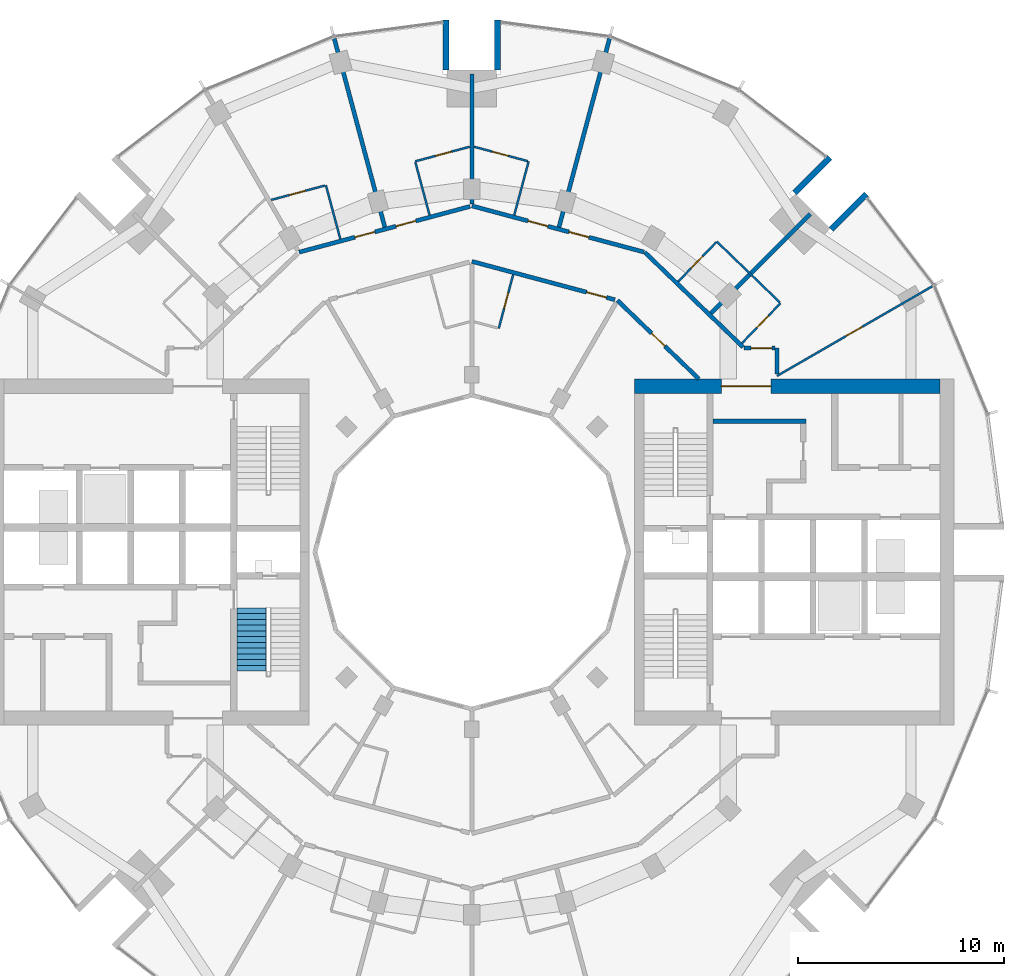
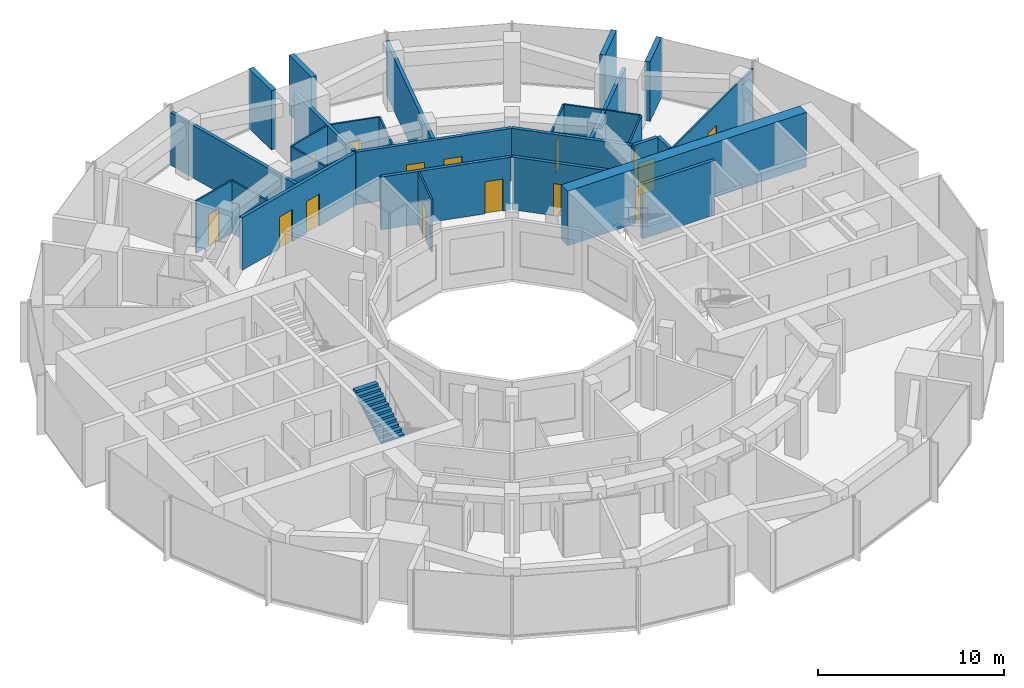
# One storey, part 12 of 15: 28 walls, 15 doors, 1 stair flight, 15 openings, 1 element without a shape of its own.
"""IFC4 building model written with IfcOpenShell, lengths in metres."""

from ifc_helpers import new_model, si_unit, direction, frame, frame_2d, origin, place, context, subcontext, project, spatial, polyline, rectangle, outline, extrude, material, layer, layer_set, type_object, element, fill, aggregate, save


model = new_model("IFC4")

# Units and contexts
model_context = context("Model", 3, precision=1e-05, world=origin(), true_north=direction((0.0, 1.0)))
body_context = subcontext(model_context, "Body", "Model", "MODEL_VIEW")
ifc_project = project(units=[si_unit("LENGTHUNIT", "METRE"), si_unit("AREAUNIT", "SQUARE_METRE"), si_unit("VOLUMEUNIT", "CUBIC_METRE"), si_unit("PLANEANGLEUNIT", "RADIAN"), si_unit("MASSUNIT", "GRAM", prefix="KILO")], contexts=[model_context])

# Site, building, storey
site_placement = place(None, origin())
site = spatial("IfcSite", under=ifc_project, at=site_placement, CompositionType="ELEMENT")
building_placement = place(site_placement, origin())
building = spatial("IfcBuilding", under=site, at=building_placement, Name="Torre Brocal", CompositionType="ELEMENT")
storey_placement = place(building_placement, frame((0.0, 0.0, 141.89990234375)))
storey = spatial("IfcBuildingStorey", under=building, at=storey_placement, Name="L33", CompositionType="ELEMENT", Elevation=141.89990234375)

# Wall
ifc_material_1 = material(Name="Concrete C70", Category="concrete")
ifc_layer_1 = layer(ifc_material_1, 0.199951171875)
ifc_layer_set_1 = layer_set([ifc_layer_1], Name="Concrete C70")
wall_type_1 = type_object("IfcWallType", Name="CORE WALL 200 C70", PredefinedType="SHEAR", material=ifc_layer_set_1)
wall_1_placement = place(storey_placement, frame((91.699951171875, 81.35009765625, 0.0), z_axis=(0.0, 0.0, 1.0), x_axis=(1.0, 0.0, 0.0)))
element("IfcWall", 1, at=wall_1_placement, inside=storey, type_object=wall_type_1, Name="Wall CW200-70", PredefinedType="SHEAR", context=body_context, shape_type="SweptSolid", body=[
    extrude(rectangle(XDim=4.5, YDim=0.199951171875, at=frame_2d((2.25, 0.0))), origin(), (0.0, 0.0, 1.0), 3.580078125),
])

# Wall, opening, door
ifc_material_2 = material(Name="Concrete C70", Category="concrete")
ifc_layer_2 = layer(ifc_material_2, 0.699951171875)
ifc_layer_set_2 = layer_set([ifc_layer_2], Name="Concrete C70")
wall_type_2 = type_object("IfcWallType", Name="CORE WALL 700 C70", PredefinedType="SHEAR", material=ifc_layer_set_2)
wall_2_placement = place(storey_placement, frame((87.89990234375, 83.050048828125, 0.0), z_axis=(0.0, 0.0, 1.0), x_axis=(1.0, 0.0, 0.0)))
wall_2 = element("IfcWall", 2, at=wall_2_placement, inside=storey, type_object=wall_type_2, Name="Wall CW700-70", PredefinedType="SHEAR", context=body_context, shape_type="SweptSolid", body=[
    extrude(rectangle(XDim=14.800048828125, YDim=0.699951171875, at=frame_2d((7.39990234375, 0.0))), origin(), (0.0, 0.0, 1.0), 3.580078125),
])
opening_1_placement = place(wall_2_placement, frame((4.199951171875, 0.0, 0.0)))
opening_1 = element("IfcOpeningElement", 3, at=opening_1_placement, cuts=wall_2, Name="Opening E-D24", PredefinedType="OPENING", context=body_context, shape_type="SweptSolid", body=[
    extrude(rectangle(XDim=2.39990234375, YDim=2.39990234375, at=frame_2d((1.199951171875, 1.199951171875))), frame((0.0, 0.35986328125, 0.0), z_axis=(0.0, -1.0, 0.0), x_axis=(1.0, 0.0, 0.0)), (0.0, 0.0, 1.0), 0.719970703125),
])
ifc_material_3 = material(Name="Steel A653", Category="steel")
door_type_1 = type_object("IfcDoorType", Name="DOUBLE FIRE DOOR FD90 2400X2400", OperationType="DOUBLE_DOOR_SINGLE_SWING", PredefinedType="DOOR", material=ifc_material_3)
door_1_placement = place(opening_1_placement, frame((2.39990234375, 0.0, 0.0), z_axis=(0.0, 0.0, 1.0), x_axis=(-1.0, 0.0, 0.0)))
door_1 = element("IfcDoor", 4, at=door_1_placement, inside=storey, type_object=door_type_1, Name="Door E-D24", OperationType="DOUBLE_DOOR_SINGLE_SWING", OverallHeight=2.39990234375, OverallWidth=2.39990234375, PredefinedType="DOOR", context=body_context, shape_type="SweptSolid", body=[
    extrude(rectangle(XDim=2.39990234375, YDim=2.39990234375, at=frame_2d((1.199951171875, 1.199951171875))), frame((0.0, 0.02490234375, 0.0), z_axis=(0.0, -1.0, 0.0), x_axis=(1.0, 0.0, 0.0)), (0.0, 0.0, 1.0), 0.050048828125),
])
fill(opening_1, door_1)

# Walls
ifc_material_4 = material(Name="Concrete C70", Category="concrete")
ifc_layer_3 = layer(ifc_material_4, 0.300048828125)
ifc_layer_set_3 = layer_set([ifc_layer_3], Name="Concrete C70")
wall_type_3 = type_object("IfcWallType", Name="NOTCH RETURN WALL 300 C70", PredefinedType="NOTDEFINED", material=ifc_layer_set_3)
for number, where, z_axis, x_axis, name in (
    (5, (97.43017578125, 90.662353515625, 0.0), (0.0, 0.0, 1.0), (0.707106781187, 0.707106781187, 0.0), "NOTCH RETURN WALL"),
    (6, (95.662353515625, 92.43017578125, 0.0), (0.0, 0.0, 1.0), (0.707106781187, 0.707106781187, 0.0), "NOTCH RETURN WALL"),
    (7, (81.25, 98.39990234375, 0.0), (0.0, 0.0, 1.0), (0.0, 1.0, 0.0), "NOTCH RETURN WALL"),
    (8, (78.75, 98.39990234375, 0.0), (0.0, 0.0, 1.0), (0.0, 1.0, 0.0), "NOTCH RETURN WALL"),
):
    element("IfcWall", number, at=place(storey_placement, frame(where, z_axis=z_axis, x_axis=x_axis)), inside=storey, type_object=wall_type_3, Name=name, PredefinedType="NOTDEFINED", context=body_context, shape_type="SweptSolid", body=[
        extrude(rectangle(XDim=2.415771484375, YDim=0.300048828125, at=frame_2d((1.2080078125, 0.0))), origin(), (0.0, 0.0, 1.0), 3.900146484375),
    ])

# Wall, opening, door
ifc_material_5 = material(Name="Gypsum board", Category="Gypsum")
ifc_layer_4 = layer(ifc_material_5, 0.10009765625)
ifc_layer_set_4 = layer_set([ifc_layer_4], Name="Gypsum board")
wall_type_4 = type_object("IfcWallType", Name="PARTITION 100", PredefinedType="PARTITIONING", material=ifc_layer_set_4)
wall_3_placement = place(storey_placement, frame((70.267822265625, 92.087158203125, 0.0), z_axis=(0.0, 0.0, 1.0), x_axis=(0.965937937835, 0.258773839966, 0.0)))
wall_3 = element("IfcWall", 9, at=wall_3_placement, inside=storey, type_object=wall_type_4, Name="BATHROOM WALL", PredefinedType="PARTITIONING", context=body_context, shape_type="SweptSolid", body=[
    extrude(rectangle(XDim=2.693603515625, YDim=0.10009765625, at=frame_2d((1.3466796875, 0.0))), origin(), (0.0, 0.0, 1.0), 3.4501953125),
])
opening_2_placement = place(wall_3_placement, frame((0.911865234375, 0.0, 0.0)))
opening_2 = element("IfcOpeningElement", 10, at=opening_2_placement, cuts=wall_3, Name="Opening E03-D11", PredefinedType="OPENING", context=body_context, shape_type="SweptSolid", body=[
    extrude(rectangle(XDim=0.800048828125, YDim=2.10009765625, at=frame_2d((0.39990234375, 1.050048828125))), frame((0.0, 0.06005859375, 0.0), z_axis=(0.0, -1.0, 0.0), x_axis=(1.0, 0.0, 0.0)), (0.0, 0.0, 1.0), 0.1201171875),
])
ifc_material_6 = material(Name="Timber", Category="wood")
door_type_2 = type_object("IfcDoorType", Name="BATHROOM DOOR 800X2100", OperationType="SINGLE_SWING_LEFT", PredefinedType="DOOR", material=ifc_material_6)
door_2_placement = place(opening_2_placement, frame((0.800048828125, 0.0, 0.0), z_axis=(0.0, 0.0, 1.0), x_axis=(-1.0, 0.0, 0.0)))
door_2 = element("IfcDoor", 11, at=door_2_placement, inside=storey, type_object=door_type_2, Name="E03-D11", OperationType="SINGLE_SWING_RIGHT", OverallHeight=2.10009765625, OverallWidth=0.800048828125, PredefinedType="DOOR", context=body_context, shape_type="SweptSolid", body=[
    extrude(rectangle(XDim=0.800048828125, YDim=2.10009765625, at=frame_2d((0.39990234375, 1.050048828125))), frame((0.0, 0.02490234375, 0.0), z_axis=(0.0, -1.0, 0.0), x_axis=(1.0, 0.0, 0.0)), (0.0, 0.0, 1.0), 0.050048828125),
])
fill(opening_2, door_2)

# Walls
wall_4_placement = place(storey_placement, frame((72.91796875, 92.797119140625, 0.0), z_axis=(0.0, 0.0, 1.0), x_axis=(0.25867580527, -0.965964195904, 0.0)))
element("IfcWall", 12, at=wall_4_placement, inside=storey, type_object=wall_type_4, Name="BATHROOM WALL", PredefinedType="PARTITIONING", context=body_context, shape_type="SweptSolid", body=[
    extrude(rectangle(XDim=2.69921875, YDim=0.10009765625, at=frame_2d((1.349609375, 0.0))), origin(), (0.0, 0.0, 1.0), 3.4501953125),
])
wall_5_placement = place(storey_placement, frame((77.260009765625, 93.90869140625, 0.0), z_axis=(0.0, 0.0, 1.0), x_axis=(0.258935674139, -0.965894568086, 0.0)))
element("IfcWall", 13, at=wall_5_placement, inside=storey, type_object=wall_type_4, Name="BATHROOM WALL", PredefinedType="PARTITIONING", context=body_context, shape_type="SweptSolid", body=[
    extrude(rectangle(XDim=2.6494140625, YDim=0.10009765625, at=frame_2d((1.32470703125, 0.0))), origin(), (0.0, 0.0, 1.0), 3.4501953125),
])

# Wall, opening, door
wall_6_placement = place(storey_placement, frame((77.2470703125, 93.956787109375, 0.0), z_axis=(0.0, 0.0, 1.0), x_axis=(0.965922199757, 0.258832579125, 0.0)))
wall_6 = element("IfcWall", 14, at=wall_6_placement, inside=storey, type_object=wall_type_4, Name="BATHROOM WALL", PredefinedType="PARTITIONING", context=body_context, shape_type="SweptSolid", body=[
    extrude(rectangle(XDim=2.739990234375, YDim=0.10009765625, at=frame_2d((1.3701171875, 0.0))), origin(), (0.0, 0.0, 1.0), 3.4501953125),
])
opening_3_placement = place(wall_6_placement, frame((1.025146484375, 0.0, 0.0)))
opening_3 = element("IfcOpeningElement", 15, at=opening_3_placement, cuts=wall_6, Name="Opening E03-D09", PredefinedType="OPENING", context=body_context, shape_type="SweptSolid", body=[
    extrude(rectangle(XDim=0.800048828125, YDim=2.10009765625, at=frame_2d((0.39990234375, 1.050048828125))), frame((0.0, 0.06005859375, 0.0), z_axis=(0.0, -1.0, 0.0), x_axis=(1.0, 0.0, 0.0)), (0.0, 0.0, 1.0), 0.1201171875),
])
door_3_placement = place(opening_3_placement, frame((0.800048828125, 0.0, 0.0), z_axis=(0.0, 0.0, 1.0), x_axis=(-1.0, 0.0, 0.0)))
door_3 = element("IfcDoor", 16, at=door_3_placement, inside=storey, type_object=door_type_2, Name="E03-D09", OperationType="SINGLE_SWING_LEFT", OverallHeight=2.10009765625, OverallWidth=0.800048828125, PredefinedType="DOOR", context=body_context, shape_type="SweptSolid", body=[
    extrude(rectangle(XDim=0.800048828125, YDim=2.10009765625, at=frame_2d((0.39990234375, 1.050048828125))), frame((0.0, 0.02490234375, 0.0), z_axis=(0.0, -1.0, 0.0), x_axis=(1.0, 0.0, 0.0)), (0.0, 0.0, 1.0), 0.050048828125),
])
fill(opening_3, door_3)

wall_7_placement = place(storey_placement, frame((80.106201171875, 94.66650390625, 0.0), z_axis=(0.0, 0.0, 1.0), x_axis=(0.96589821458, -0.258922071427, 0.0)))
wall_7 = element("IfcWall", 17, at=wall_7_placement, inside=storey, type_object=wall_type_4, Name="BATHROOM WALL", PredefinedType="PARTITIONING", context=body_context, shape_type="SweptSolid", body=[
    extrude(rectangle(XDim=2.690185546875, YDim=0.10009765625, at=frame_2d((1.34521484375, 0.0))), origin(), (0.0, 0.0, 1.0), 3.4501953125),
])
opening_4_placement = place(wall_7_placement, frame((0.9150390625, 0.0, 0.0)))
opening_4 = element("IfcOpeningElement", 18, at=opening_4_placement, cuts=wall_7, Name="Opening E03-D07", PredefinedType="OPENING", context=body_context, shape_type="SweptSolid", body=[
    extrude(rectangle(XDim=0.800048828125, YDim=2.10009765625, at=frame_2d((0.39990234375, 1.050048828125))), frame((0.0, 0.06005859375, 0.0), z_axis=(0.0, -1.0, 0.0), x_axis=(1.0, 0.0, 0.0)), (0.0, 0.0, 1.0), 0.1201171875),
])
door_4_placement = place(opening_4_placement, frame((0.800048828125, 0.0, 0.0), z_axis=(0.0, 0.0, 1.0), x_axis=(-1.0, 0.0, 0.0)))
door_4 = element("IfcDoor", 19, at=door_4_placement, inside=storey, type_object=door_type_2, Name="E03-D07", OperationType="SINGLE_SWING_RIGHT", OverallHeight=2.10009765625, OverallWidth=0.800048828125, PredefinedType="DOOR", context=body_context, shape_type="SweptSolid", body=[
    extrude(rectangle(XDim=0.800048828125, YDim=2.10009765625, at=frame_2d((0.39990234375, 1.050048828125))), frame((0.0, 0.02490234375, 0.0), z_axis=(0.0, -1.0, 0.0), x_axis=(1.0, 0.0, 0.0)), (0.0, 0.0, 1.0), 0.050048828125),
])
fill(opening_4, door_4)

wall_8_placement = place(storey_placement, frame((81.303955078125, 85.85595703125, 0.0), z_axis=(0.0, 0.0, 1.0), x_axis=(0.25867580527, 0.965964195904, 0.0)))
wall_8 = element("IfcWall", 20, at=wall_8_placement, inside=storey, type_object=wall_type_4, Name="BATHROOM WALL", PredefinedType="PARTITIONING", context=body_context, shape_type="SweptSolid", body=[
    extrude(rectangle(XDim=2.69921875, YDim=0.10009765625, at=frame_2d((1.349609375, 0.0))), origin(), (0.0, 0.0, 1.0), 3.4501953125),
])
opening_5_placement = place(wall_8_placement, frame((0.99951171875, 0.0, 0.0)))
opening_5 = element("IfcOpeningElement", 21, at=opening_5_placement, cuts=wall_8, Name="Opening E03-D19", PredefinedType="OPENING", context=body_context, shape_type="SweptSolid", body=[
    extrude(rectangle(XDim=0.800048828125, YDim=2.10009765625, at=frame_2d((0.39990234375, 1.050048828125))), frame((0.0, 0.06005859375, 0.0), z_axis=(0.0, -1.0, 0.0), x_axis=(1.0, 0.0, 0.0)), (0.0, 0.0, 1.0), 0.1201171875),
])
door_5_placement = place(opening_5_placement, origin())
door_5 = element("IfcDoor", 22, at=door_5_placement, inside=storey, type_object=door_type_2, Name="E03-D19", OperationType="SINGLE_SWING_RIGHT", OverallHeight=2.10009765625, OverallWidth=0.800048828125, PredefinedType="DOOR", context=body_context, shape_type="SweptSolid", body=[
    extrude(rectangle(XDim=0.800048828125, YDim=2.10009765625, at=frame_2d((0.39990234375, 1.050048828125))), frame((0.0, 0.02490234375, 0.0), z_axis=(0.0, -1.0, 0.0), x_axis=(1.0, 0.0, 0.0)), (0.0, 0.0, 1.0), 0.050048828125),
])
fill(opening_5, door_5)

# Wall
wall_9_placement = place(storey_placement, frame((82.053955078125, 91.349609375, 0.0), z_axis=(0.0, 0.0, 1.0), x_axis=(0.258928960762, 0.965896367774, 0.0)))
element("IfcWall", 23, at=wall_9_placement, inside=storey, type_object=wall_type_4, Name="BATHROOM WALL", PredefinedType="PARTITIONING", context=body_context, shape_type="SweptSolid", body=[
    extrude(rectangle(XDim=2.699462890625, YDim=0.10009765625, at=frame_2d((1.349609375, 0.0))), origin(), (0.0, 0.0, 1.0), 3.4501953125),
])

# Wall, opening, door
wall_10_placement = place(storey_placement, frame((90.00830078125, 88.123046875, 0.0), z_axis=(0.0, 0.0, 1.0), x_axis=(0.694372521817, 0.719615731447, 0.0)))
wall_10 = element("IfcWall", 24, at=wall_10_placement, inside=storey, type_object=wall_type_4, Name="BATHROOM WALL", PredefinedType="PARTITIONING", context=body_context, shape_type="SweptSolid", body=[
    extrude(rectangle(XDim=2.64990234375, YDim=0.10009765625, at=frame_2d((1.324951171875, 0.0))), origin(), (0.0, 0.0, 1.0), 3.4501953125),
])
opening_6_placement = place(wall_10_placement, frame((0.89990234375, 0.0, 0.0)))
opening_6 = element("IfcOpeningElement", 25, at=opening_6_placement, cuts=wall_10, Name="Opening E03-D05", PredefinedType="OPENING", context=body_context, shape_type="SweptSolid", body=[
    extrude(rectangle(XDim=0.800048828125, YDim=2.10009765625, at=frame_2d((0.39990234375, 1.050048828125))), frame((0.0, 0.06005859375, 0.0), z_axis=(0.0, -1.0, 0.0), x_axis=(1.0, 0.0, 0.0)), (0.0, 0.0, 1.0), 0.1201171875),
])
door_6_placement = place(opening_6_placement, frame((0.800048828125, 0.0, 0.0), z_axis=(0.0, 0.0, 1.0), x_axis=(-1.0, 0.0, 0.0)))
door_6 = element("IfcDoor", 26, at=door_6_placement, inside=storey, type_object=door_type_2, Name="E03-D05", OperationType="SINGLE_SWING_RIGHT", OverallHeight=2.10009765625, OverallWidth=0.800048828125, PredefinedType="DOOR", context=body_context, shape_type="SweptSolid", body=[
    extrude(rectangle(XDim=0.800048828125, YDim=2.10009765625, at=frame_2d((0.39990234375, 1.050048828125))), frame((0.0, 0.02490234375, 0.0), z_axis=(0.0, -1.0, 0.0), x_axis=(1.0, 0.0, 0.0)), (0.0, 0.0, 1.0), 0.050048828125),
])
fill(opening_6, door_6)

# Wall
wall_11_placement = place(storey_placement, frame((91.8828125, 90.065673828125, 0.0), z_axis=(0.0, 0.0, 1.0), x_axis=(0.719460839421, -0.694533008963, 0.0)))
element("IfcWall", 27, at=wall_11_placement, inside=storey, type_object=wall_type_4, Name="BATHROOM WALL", PredefinedType="PARTITIONING", context=body_context, shape_type="SweptSolid", body=[
    extrude(rectangle(XDim=4.25048828125, YDim=0.10009765625, at=frame_2d((2.125244140625, 0.0))), origin(), (0.0, 0.0, 1.0), 3.4501953125),
])

# Wall, opening, door
wall_12_placement = place(storey_placement, frame((93.1025390625, 85.135986328125, 0.0), z_axis=(0.0, 0.0, 1.0), x_axis=(0.694287838235, 0.719697434815, 0.0)))
wall_12 = element("IfcWall", 28, at=wall_12_placement, inside=storey, type_object=wall_type_4, Name="BATHROOM WALL", PredefinedType="PARTITIONING", context=body_context, shape_type="SweptSolid", body=[
    extrude(rectangle(XDim=2.699951171875, YDim=0.10009765625, at=frame_2d((1.35009765625, 0.0))), origin(), (0.0, 0.0, 1.0), 3.4501953125),
])
opening_7_placement = place(wall_12_placement, frame((1.0498046875, 0.0, 0.0)))
opening_7 = element("IfcOpeningElement", 29, at=opening_7_placement, cuts=wall_12, Name="Opening E03-D02", PredefinedType="OPENING", context=body_context, shape_type="SweptSolid", body=[
    extrude(rectangle(XDim=0.800048828125, YDim=2.10009765625, at=frame_2d((0.39990234375, 1.050048828125))), frame((0.0, 0.06005859375, 0.0), z_axis=(0.0, -1.0, 0.0), x_axis=(1.0, 0.0, 0.0)), (0.0, 0.0, 1.0), 0.1201171875),
])
door_7_placement = place(opening_7_placement, origin())
door_7 = element("IfcDoor", 30, at=door_7_placement, inside=storey, type_object=door_type_2, Name="E03-D02", OperationType="SINGLE_SWING_RIGHT", OverallHeight=2.10009765625, OverallWidth=0.800048828125, PredefinedType="DOOR", context=body_context, shape_type="SweptSolid", body=[
    extrude(rectangle(XDim=0.800048828125, YDim=2.10009765625, at=frame_2d((0.39990234375, 1.050048828125))), frame((0.0, 0.02490234375, 0.0), z_axis=(0.0, -1.0, 0.0), x_axis=(1.0, 0.0, 0.0)), (0.0, 0.0, 1.0), 0.050048828125),
])
fill(opening_7, door_7)

wall_13_placement = place(storey_placement, frame((94.800048828125, 83.544921875, 0.0), z_axis=(0.0, 0.0, 1.0), x_axis=(0.86602264145, 0.500004784474, 0.0)))
wall_13 = element("IfcWall", 31, at=wall_13_placement, inside=storey, type_object=wall_type_4, Name="ROOM PARTITION", PredefinedType="PARTITIONING", context=body_context, shape_type="SweptSolid", body=[
    extrude(rectangle(XDim=8.7080078125, YDim=0.10009765625, at=frame_2d((4.35400390625, 0.0))), origin(), (0.0, 0.0, 1.0), 3.4501953125),
])
opening_8_placement = place(wall_13_placement, frame((3.87890625, 0.0, 0.0)))
opening_8 = element("IfcOpeningElement", 32, at=opening_8_placement, cuts=wall_13, Name="Opening E03-D03", PredefinedType="OPENING", context=body_context, shape_type="SweptSolid", body=[
    extrude(rectangle(XDim=0.89990234375, YDim=2.10009765625, at=frame_2d((0.449951171875, 1.050048828125))), frame((0.0, 0.06005859375, 0.0), z_axis=(0.0, -1.0, 0.0), x_axis=(1.0, 0.0, 0.0)), (0.0, 0.0, 1.0), 0.1201171875),
])
ifc_material_7 = material(Name="Timber", Category="wood")
door_type_3 = type_object("IfcDoorType", Name="ROOM DOOR 900X2100", OperationType="SINGLE_SWING_LEFT", PredefinedType="DOOR", material=ifc_material_7)
door_8_placement = place(opening_8_placement, frame((0.89990234375, 0.0, 0.0), z_axis=(0.0, 0.0, 1.0), x_axis=(-1.0, 0.0, 0.0)))
door_8 = element("IfcDoor", 33, at=door_8_placement, inside=storey, type_object=door_type_3, Name="E03-D03", OperationType="SINGLE_SWING_RIGHT", OverallHeight=2.10009765625, OverallWidth=0.89990234375, PredefinedType="DOOR", context=body_context, shape_type="SweptSolid", body=[
    extrude(rectangle(XDim=0.89990234375, YDim=2.10009765625, at=frame_2d((0.449951171875, 1.050048828125))), frame((0.0, 0.02490234375, 0.0), z_axis=(0.0, -1.0, 0.0), x_axis=(1.0, 0.0, 0.0)), (0.0, 0.0, 1.0), 0.050048828125),
])
fill(opening_8, door_8)

# Wall, openings, doors
ifc_material_8 = material(Name="Gypsum board", Category="Gypsum")
ifc_layer_5 = layer(ifc_material_8, 0.199951171875)
ifc_layer_set_5 = layer_set([ifc_layer_5], Name="Gypsum board")
wall_type_5 = type_object("IfcWallType", Name="PARTITION 200 EI60", PredefinedType="PARTITIONING", material=ifc_layer_set_5)
wall_14_placement = place(storey_placement, frame((71.61376953125, 89.5498046875, 0.0), z_axis=(0.0, 0.0, 1.0), x_axis=(0.965982156828, 0.258608725086, 0.0)))
wall_14 = element("IfcWall", 34, at=wall_14_placement, inside=storey, type_object=wall_type_5, Name="GUESTROOM CORRIDOR WALL", PredefinedType="PARTITIONING", context=body_context, shape_type="SweptSolid", body=[
    extrude(rectangle(XDim=8.591796875, YDim=0.199951171875, at=frame_2d((4.2958984375, 0.0))), origin(), (0.0, 0.0, 1.0), 3.4501953125),
])
opening_9_placement = place(wall_14_placement, frame((4.864990234375, 0.0, 0.0)))
opening_9 = element("IfcOpeningElement", 35, at=opening_9_placement, cuts=wall_14, Name="Opening E03-D08", PredefinedType="OPENING", context=body_context, shape_type="SweptSolid", body=[
    extrude(rectangle(XDim=1.0, YDim=2.10009765625, at=frame_2d((0.5, 1.050048828125))), frame((0.0, 0.10986328125, 0.0), z_axis=(0.0, -1.0, 0.0), x_axis=(1.0, 0.0, 0.0)), (0.0, 0.0, 1.0), 0.219970703125),
])
opening_10_placement = place(wall_14_placement, frame((2.804443359375, 0.0, 0.0)))
opening_10 = element("IfcOpeningElement", 36, at=opening_10_placement, cuts=wall_14, Name="Opening E03-D10", PredefinedType="OPENING", context=body_context, shape_type="SweptSolid", body=[
    extrude(rectangle(XDim=1.0, YDim=2.10009765625, at=frame_2d((0.5, 1.050048828125))), frame((0.0, 0.10986328125, 0.0), z_axis=(0.0, -1.0, 0.0), x_axis=(1.0, 0.0, 0.0)), (0.0, 0.0, 1.0), 0.219970703125),
])
ifc_material_9 = material(Name="Timber", Category="wood")
door_type_4 = type_object("IfcDoorType", Name="FLAT ENTRY DOOR FD30S 1000X2100", OperationType="SINGLE_SWING_RIGHT", PredefinedType="DOOR", material=ifc_material_9)
door_9_placement = place(opening_9_placement, origin())
door_9 = element("IfcDoor", 37, at=door_9_placement, inside=storey, type_object=door_type_4, Name="E03-D08", OperationType="SINGLE_SWING_LEFT", OverallHeight=2.10009765625, OverallWidth=1.0, PredefinedType="DOOR", context=body_context, shape_type="SweptSolid", body=[
    extrude(rectangle(XDim=1.0, YDim=2.10009765625, at=frame_2d((0.5, 1.050048828125))), frame((0.0, 0.02490234375, 0.0), z_axis=(0.0, -1.0, 0.0), x_axis=(1.0, 0.0, 0.0)), (0.0, 0.0, 1.0), 0.050048828125),
])
fill(opening_9, door_9)
door_10_placement = place(opening_10_placement, origin())
door_10 = element("IfcDoor", 38, at=door_10_placement, inside=storey, type_object=door_type_4, Name="E03-D10", OperationType="SINGLE_SWING_RIGHT", OverallHeight=2.10009765625, OverallWidth=1.0, PredefinedType="DOOR", context=body_context, shape_type="SweptSolid", body=[
    extrude(rectangle(XDim=1.0, YDim=2.10009765625, at=frame_2d((0.5, 1.050048828125))), frame((0.0, 0.02490234375, 0.0), z_axis=(0.0, -1.0, 0.0), x_axis=(1.0, 0.0, 0.0)), (0.0, 0.0, 1.0), 0.050048828125),
])
fill(opening_10, door_10)

# Wall
wall_15_placement = place(storey_placement, frame((73.322998046875, 99.919189453125, 0.0), z_axis=(0.0, 0.0, 1.0), x_axis=(0.258817230439, -0.965926312525, 0.0)))
element("IfcWall", 39, at=wall_15_placement, inside=storey, type_object=wall_type_5, Name="PARTY PARTITION", PredefinedType="PARTITIONING", context=body_context, shape_type="SweptSolid", body=[
    extrude(rectangle(XDim=9.474365234375, YDim=0.199951171875, at=frame_2d((4.7373046875, 0.0))), origin(), (0.0, 0.0, 1.0), 3.4501953125),
])

# Wall, opening, door
wall_16_placement = place(storey_placement, frame((80.0, 89.10400390625, 0.0), z_axis=(0.0, 0.0, 1.0), x_axis=(0.965854247166, -0.25908603442, 0.0)))
wall_16 = element("IfcWall", 40, at=wall_16_placement, inside=storey, type_object=wall_type_5, Name="GUESTROOM CORRIDOR WALL", PredefinedType="PARTITIONING", context=body_context, shape_type="SweptSolid", body=[
    extrude(rectangle(XDim=7.183349609375, YDim=0.199951171875, at=frame_2d((3.591796875, 0.0))), origin(), (0.0, 0.0, 1.0), 3.4501953125),
])
opening_11_placement = place(wall_16_placement, frame((5.76318359375, 0.0, 0.0)))
opening_11 = element("IfcOpeningElement", 41, at=opening_11_placement, cuts=wall_16, Name="Opening E03-D18", PredefinedType="OPENING", context=body_context, shape_type="SweptSolid", body=[
    extrude(rectangle(XDim=1.0, YDim=2.10009765625, at=frame_2d((0.5, 1.050048828125))), frame((0.0, 0.10986328125, 0.0), z_axis=(0.0, -1.0, 0.0), x_axis=(1.0, 0.0, 0.0)), (0.0, 0.0, 1.0), 0.219970703125),
])
door_11_placement = place(opening_11_placement, frame((1.0, 0.0, 0.0), z_axis=(0.0, 0.0, 1.0), x_axis=(-1.0, 0.0, 0.0)))
door_11 = element("IfcDoor", 42, at=door_11_placement, inside=storey, type_object=door_type_4, Name="E03-D18", OperationType="SINGLE_SWING_LEFT", OverallHeight=2.10009765625, OverallWidth=1.0, PredefinedType="DOOR", context=body_context, shape_type="SweptSolid", body=[
    extrude(rectangle(XDim=1.0, YDim=2.10009765625, at=frame_2d((0.5, 1.050048828125))), frame((0.0, 0.02490234375, 0.0), z_axis=(0.0, -1.0, 0.0), x_axis=(1.0, 0.0, 0.0)), (0.0, 0.0, 1.0), 0.050048828125),
])
fill(opening_11, door_11)

# Wall
wall_17_placement = place(storey_placement, frame((80.0, 91.885986328125, 0.0), z_axis=(0.0, 0.0, 1.0), x_axis=(0.0, 1.0, 0.0)))
element("IfcWall", 43, at=wall_17_placement, inside=storey, type_object=wall_type_5, Name="BATHROOM WALL", PredefinedType="PARTITIONING", context=body_context, shape_type="SweptSolid", body=[
    extrude(rectangle(XDim=6.31396484375, YDim=0.199951171875, at=frame_2d((3.156982421875, 0.0))), origin(), (0.0, 0.0, 1.0), 3.4501953125),
])

# Wall, openings, doors
wall_18_placement = place(storey_placement, frame((80.0, 91.79638671875, 0.0), z_axis=(0.0, 0.0, 1.0), x_axis=(0.965891796243, -0.258946013582, 0.0)))
wall_18 = element("IfcWall", 44, at=wall_18_placement, inside=storey, type_object=wall_type_5, Name="GUESTROOM CORRIDOR WALL", PredefinedType="PARTITIONING", context=body_context, shape_type="SweptSolid", body=[
    extrude(rectangle(XDim=8.641845703125, YDim=0.199951171875, at=frame_2d((4.32080078125, 0.0))), origin(), (0.0, 0.0, 1.0), 3.4501953125),
])
opening_12_placement = place(wall_18_placement, frame((4.87744140625, 0.0, 0.0)))
opening_12 = element("IfcOpeningElement", 45, at=opening_12_placement, cuts=wall_18, Name="Opening E03-D04", PredefinedType="OPENING", context=body_context, shape_type="SweptSolid", body=[
    extrude(rectangle(XDim=1.0, YDim=2.10009765625, at=frame_2d((0.5, 1.050048828125))), frame((0.0, 0.10986328125, 0.0), z_axis=(0.0, -1.0, 0.0), x_axis=(1.0, 0.0, 0.0)), (0.0, 0.0, 1.0), 0.219970703125),
])
opening_13_placement = place(wall_18_placement, frame((2.816650390625, 0.0, 0.0)))
opening_13 = element("IfcOpeningElement", 46, at=opening_13_placement, cuts=wall_18, Name="Opening E03-D06", PredefinedType="OPENING", context=body_context, shape_type="SweptSolid", body=[
    extrude(rectangle(XDim=1.0, YDim=2.10009765625, at=frame_2d((0.5, 1.050048828125))), frame((0.0, 0.10986328125, 0.0), z_axis=(0.0, -1.0, 0.0), x_axis=(1.0, 0.0, 0.0)), (0.0, 0.0, 1.0), 0.219970703125),
])
door_12_placement = place(opening_12_placement, origin())
door_12 = element("IfcDoor", 47, at=door_12_placement, inside=storey, type_object=door_type_4, Name="E03-D04", OperationType="SINGLE_SWING_LEFT", OverallHeight=2.10009765625, OverallWidth=1.0, PredefinedType="DOOR", context=body_context, shape_type="SweptSolid", body=[
    extrude(rectangle(XDim=1.0, YDim=2.10009765625, at=frame_2d((0.5, 1.050048828125))), frame((0.0, 0.02490234375, 0.0), z_axis=(0.0, -1.0, 0.0), x_axis=(1.0, 0.0, 0.0)), (0.0, 0.0, 1.0), 0.050048828125),
])
fill(opening_12, door_12)
door_13_placement = place(opening_13_placement, origin())
door_13 = element("IfcDoor", 48, at=door_13_placement, inside=storey, type_object=door_type_4, Name="E03-D06", OperationType="SINGLE_SWING_RIGHT", OverallHeight=2.10009765625, OverallWidth=1.0, PredefinedType="DOOR", context=body_context, shape_type="SweptSolid", body=[
    extrude(rectangle(XDim=1.0, YDim=2.10009765625, at=frame_2d((0.5, 1.050048828125))), frame((0.0, 0.02490234375, 0.0), z_axis=(0.0, -1.0, 0.0), x_axis=(1.0, 0.0, 0.0)), (0.0, 0.0, 1.0), 0.050048828125),
])
fill(opening_13, door_13)

# Wall
wall_19_placement = place(storey_placement, frame((84.225830078125, 90.768310546875, 0.0), z_axis=(0.0, 0.0, 1.0), x_axis=(0.258891088655, 0.965906519398, 0.0)))
element("IfcWall", 49, at=wall_19_placement, inside=storey, type_object=wall_type_5, Name="PARTY PARTITION", PredefinedType="PARTITIONING", context=body_context, shape_type="SweptSolid", body=[
    extrude(rectangle(XDim=9.4736328125, YDim=0.199951171875, at=frame_2d((4.73681640625, 0.0))), origin(), (0.0, 0.0, 1.0), 3.4501953125),
])

# Wall, opening, door
wall_20_placement = place(storey_placement, frame((87.06396484375, 87.2109375, 0.0), z_axis=(0.0, 0.0, 1.0), x_axis=(0.719562412484, -0.694427774891, 0.0)))
wall_20 = element("IfcWall", 50, at=wall_20_placement, inside=storey, type_object=wall_type_5, Name="CORRIDOR WALL", PredefinedType="PARTITIONING", context=body_context, shape_type="SweptSolid", body=[
    extrude(rectangle(XDim=5.488037109375, YDim=0.199951171875, at=frame_2d((2.744140625, 0.0))), origin(), (0.0, 0.0, 1.0), 3.4501953125),
])
opening_14_placement = place(wall_20_placement, frame((2.2939453125, 0.0, 0.0)))
opening_14 = element("IfcOpeningElement", 51, at=opening_14_placement, cuts=wall_20, Name="Opening E03-D17", PredefinedType="OPENING", context=body_context, shape_type="SweptSolid", body=[
    extrude(rectangle(XDim=0.89990234375, YDim=2.10009765625, at=frame_2d((0.449951171875, 1.050048828125))), frame((0.0, 0.10986328125, 0.0), z_axis=(0.0, -1.0, 0.0), x_axis=(1.0, 0.0, 0.0)), (0.0, 0.0, 1.0), 0.219970703125),
])
door_14_placement = place(opening_14_placement, frame((0.89990234375, 0.0, 0.0), z_axis=(0.0, 0.0, 1.0), x_axis=(-1.0, 0.0, 0.0)))
door_14 = element("IfcDoor", 52, at=door_14_placement, inside=storey, type_object=door_type_3, Name="E03-D17", OperationType="SINGLE_SWING_LEFT", OverallHeight=2.10009765625, OverallWidth=0.89990234375, PredefinedType="DOOR", context=body_context, shape_type="SweptSolid", body=[
    extrude(rectangle(XDim=0.89990234375, YDim=2.10009765625, at=frame_2d((0.449951171875, 1.050048828125))), frame((0.0, 0.02490234375, 0.0), z_axis=(0.0, -1.0, 0.0), x_axis=(1.0, 0.0, 0.0)), (0.0, 0.0, 1.0), 0.050048828125),
])
fill(opening_14, door_14)

# Walls
wall_21_placement = place(storey_placement, frame((88.385986328125, 89.549072265625, 0.0), z_axis=(0.0, 0.0, 1.0), x_axis=(0.719507339337, -0.694484836869, 0.0)))
element("IfcWall", 53, at=wall_21_placement, inside=storey, type_object=wall_type_5, Name="GUESTROOM CORRIDOR WALL", PredefinedType="PARTITIONING", context=body_context, shape_type="SweptSolid", body=[
    extrude(rectangle(XDim=6.634765625, YDim=0.199951171875, at=frame_2d((3.3173828125, 0.0))), origin(), (0.0, 0.0, 1.0), 3.4501953125),
])
wall_22_placement = place(storey_placement, frame((91.594970703125, 86.5908203125, 0.0), z_axis=(0.0, 0.0, 1.0), x_axis=(0.707214399597, 0.706999146394, 0.0)))
element("IfcWall", 54, at=wall_22_placement, inside=storey, type_object=wall_type_5, Name="BATHROOM WALL", PredefinedType="PARTITIONING", context=body_context, shape_type="SweptSolid", body=[
    extrude(rectangle(XDim=6.80517578125, YDim=0.199951171875, at=frame_2d((3.402587890625, 0.0))), origin(), (0.0, 0.0, 1.0), 3.4501953125),
])

# Wall, opening, door
wall_23_placement = place(storey_placement, frame((93.202880859375, 84.89990234375, 0.0), z_axis=(0.0, 0.0, 1.0), x_axis=(1.0, 0.0, 0.0)))
wall_23 = element("IfcWall", 55, at=wall_23_placement, inside=storey, type_object=wall_type_5, Name="GUESTROOM CORRIDOR WALL", PredefinedType="PARTITIONING", context=body_context, shape_type="SweptSolid", body=[
    extrude(rectangle(XDim=1.4970703125, YDim=0.199951171875, at=frame_2d((0.74853515625, 0.0))), origin(), (0.0, 0.0, 1.0), 3.4501953125),
])
opening_15_placement = place(wall_23_placement, frame((0.346923828125, 0.0, 0.0)))
opening_15 = element("IfcOpeningElement", 56, at=opening_15_placement, cuts=wall_23, Name="Opening E03-D01", PredefinedType="OPENING", context=body_context, shape_type="SweptSolid", body=[
    extrude(rectangle(XDim=1.0, YDim=2.10009765625, at=frame_2d((0.5, 1.050048828125))), frame((0.0, 0.10986328125, 0.0), z_axis=(0.0, -1.0, 0.0), x_axis=(1.0, 0.0, 0.0)), (0.0, 0.0, 1.0), 0.219970703125),
])
door_15_placement = place(opening_15_placement, origin())
door_15 = element("IfcDoor", 57, at=door_15_placement, inside=storey, type_object=door_type_4, Name="E03-D01", OperationType="SINGLE_SWING_RIGHT", OverallHeight=2.10009765625, OverallWidth=1.0, PredefinedType="DOOR", context=body_context, shape_type="SweptSolid", body=[
    extrude(rectangle(XDim=1.0, YDim=2.10009765625, at=frame_2d((0.5, 1.050048828125))), frame((0.0, 0.02490234375, 0.0), z_axis=(0.0, -1.0, 0.0), x_axis=(1.0, 0.0, 0.0)), (0.0, 0.0, 1.0), 0.050048828125),
])
fill(opening_15, door_15)

# Wall
wall_24_placement = place(storey_placement, frame((94.800048828125, 83.64990234375, 0.0), z_axis=(0.0, 0.0, 1.0), x_axis=(0.0, 1.0, 0.0)))
element("IfcWall", 58, at=wall_24_placement, inside=storey, type_object=wall_type_5, Name="GUESTROOM CORRIDOR WALL", PredefinedType="PARTITIONING", context=body_context, shape_type="SweptSolid", body=[
    extrude(rectangle(XDim=1.25, YDim=0.199951171875, at=frame_2d((0.625, 0.0))), origin(), (0.0, 0.0, 1.0), 3.4501953125),
])

# Stair, stair flight
ifc_material_10 = material(Name="Concrete C50", Category="concrete")
stair_type = type_object("IfcStairType", Name="EXIT STAIR", PredefinedType="HALF_TURN_STAIR", material=ifc_material_10)
stair_placement = place(storey_placement, origin())
stair = element("IfcStair", 59, at=stair_placement, inside=storey, type_object=stair_type, Name="EXIT STAIR ST3", PredefinedType="HALF_TURN_STAIR")
ifc_material_11 = material(Name="Concrete C50", Category="concrete")
ifc_layer_6 = layer(ifc_material_11, 0.14990234375)
ifc_layer_set_6 = layer_set([ifc_layer_6], Name="Concrete C50")
stair_flight_type = type_object("IfcStairFlightType", Name="STAIR FLIGHT", PredefinedType="STRAIGHT", material=ifc_layer_set_6)
stair_flight_placement = place(storey_placement, frame((69.300048828125, 69.219970703125, 1.9501953125), z_axis=(0.0, 0.0, 1.0), x_axis=(0.0, 1.0, 0.0)))
stair_flight = element("IfcStairFlight", 60, at=stair_flight_placement, type_object=stair_flight_type, Name="ST3 flight 2", NumberOfRisers=12, NumberOfTreads=11, PredefinedType="STRAIGHT", RiserHeight=0.1625, TreadLength=0.28, context=body_context, shape_type="SweptSolid", body=[
    extrude(outline(polyline([(0.0, 0.0), (0.0, 0.16259765625), (0.280029296875, 0.16259765625), (0.280029296875, 0.324951171875), (0.56005859375, 0.324951171875), (0.56005859375, 0.487548828125), (0.840087890625, 0.487548828125), (0.840087890625, 0.64990234375), (1.1201171875, 0.64990234375), (1.1201171875, 0.8125), (1.39990234375, 0.8125), (1.39990234375, 0.97509765625), (1.679931640625, 0.97509765625), (1.679931640625, 1.137451171875), (1.9599609375, 1.137451171875), (1.9599609375, 1.300048828125), (2.239990234375, 1.300048828125), (2.239990234375, 1.46240234375), (2.52001953125, 1.46240234375), (2.52001953125, 1.625), (2.800048828125, 1.625), (2.800048828125, 1.78759765625), (3.080078125, 1.78759765625), (3.080078125, 1.949951171875), (3.080078125, 1.6142578125), (0.298583984375, 0.0), (0.0, 0.0)])), frame((0.0, 0.699951171875, 0.0), z_axis=(0.0, -1.0, 0.0), x_axis=(1.0, 0.0, 0.0)), (0.0, 0.0, 1.0), 1.39990234375),
])
aggregate(stair, [stair_flight])

save(model, "model.ifc")
